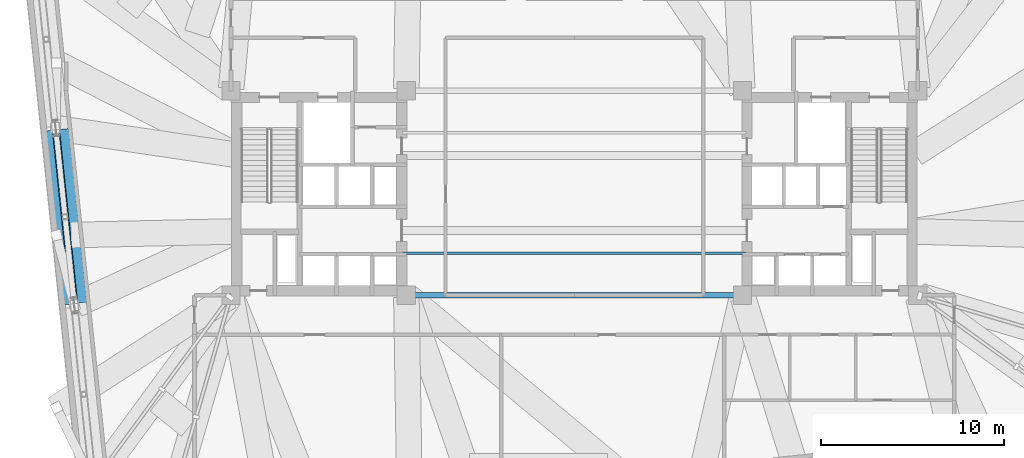
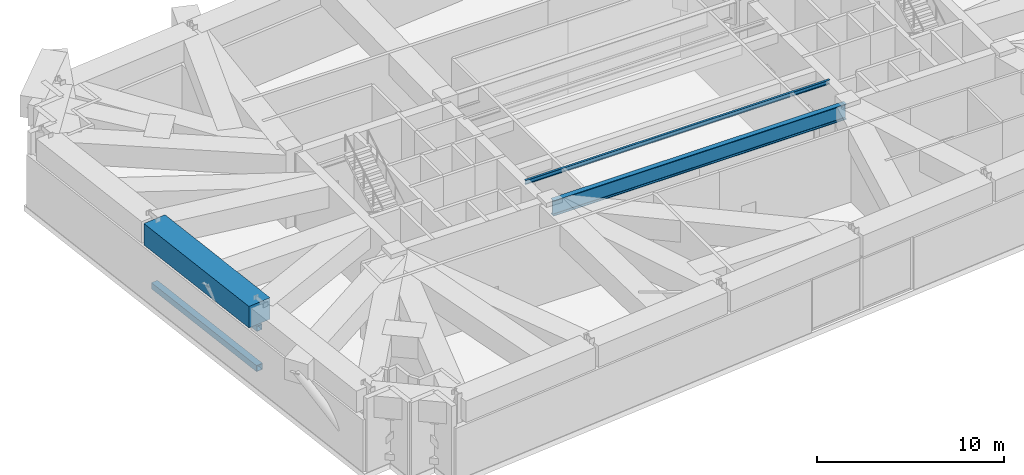
# One storey, part 6 of 23: 3 beams, 2 members.
"""IFC4 building model written with IfcOpenShell, lengths in metres."""

from ifc_helpers import new_model, si_unit, direction, frame, origin, origin_2d, place, context, subcontext, project, spatial, rectangle, hollow_rectangle, i_section, extrude, material, material_profile, profile_set, type_object, element, save


model = new_model("IFC4")

# Units and contexts
model_context = context("Model", 3, precision=1e-05, world=origin(), true_north=direction((0.0, 1.0)))
body_context = subcontext(model_context, "Body", "Model", "MODEL_VIEW")
ifc_project = project(units=[si_unit("LENGTHUNIT", "METRE"), si_unit("AREAUNIT", "SQUARE_METRE"), si_unit("VOLUMEUNIT", "CUBIC_METRE"), si_unit("PLANEANGLEUNIT", "RADIAN"), si_unit("MASSUNIT", "GRAM", prefix="KILO")], contexts=[model_context])

# Site, building, storey
site_placement = place(None, origin())
site = spatial("IfcSite", under=ifc_project, at=site_placement, CompositionType="ELEMENT")
building_placement = place(site_placement, origin())
building = spatial("IfcBuilding", under=site, at=building_placement, Name="Qobustan Lattice House", CompositionType="ELEMENT")
storey_placement = place(building_placement, frame((0.0, 0.0, 125.89990234375)))
storey = spatial("IfcBuildingStorey", under=building, at=storey_placement, Name="L35", CompositionType="ELEMENT", Elevation=125.89990234375)

# Beams
ifc_material_1 = material(Name="Steel S355", Category="steel")
ifc_material_profile_1 = material_profile(ifc_material_1, i_section(OverallWidth=0.135009765625, OverallDepth=0.27001953125, WebThickness=0.006591796875, FlangeThickness=0.01025390625, FilletRadius=0.014892578125, at=origin_2d()), Name="IPE270")
ifc_profile_set_1 = profile_set([ifc_material_profile_1], Name="Steel S355")
beam_type_1 = type_object("IfcBeamType", Name="BM-JST-IPE270", PredefinedType="JOIST", material=ifc_profile_set_1)
beam_1_placement = place(storey_placement, frame((-9.39990234375, -3.300048828125, 4.68505859375), z_axis=(1.0, 0.0, 0.0), x_axis=(0.0, 1.0, 0.0)))
element("IfcBeam", 1, at=beam_1_placement, inside=storey, type_object=beam_type_1, Name="L35 central span floor joist 1", PredefinedType="JOIST", context=body_context, shape_type="SweptSolid", body=[
    extrude(i_section(OverallWidth=0.135009765625, OverallDepth=0.27001953125, WebThickness=0.006591796875, FlangeThickness=0.01025390625, FilletRadius=0.014892578125, at=origin_2d()), origin(), (0.0, 0.0, 1.0), 18.7998046875),
])
ifc_material_2 = material(Name="Steel S355", Category="steel")
ifc_material_profile_2 = material_profile(ifc_material_2, i_section(OverallWidth=0.302001953125, OverallDepth=1.008056640625, WebThickness=0.02099609375, FlangeThickness=0.0400390625, FilletRadius=0.030029296875, at=origin_2d()), Name="HEM1000")
ifc_profile_set_2 = profile_set([ifc_material_profile_2], Name="Steel S355")
beam_type_2 = type_object("IfcBeamType", Name="BM-TRG-HEM1000", PredefinedType="USERDEFINED", material=ifc_profile_set_2)
beam_2_placement = place(storey_placement, frame((-9.050048828125, -5.60009765625, 4.316162109375), z_axis=(1.0, 0.0, 0.0), x_axis=(0.0, 1.0, 0.0)))
element("IfcBeam", 2, at=beam_2_placement, inside=storey, type_object=beam_type_2, Name="L35 core spine girder CG-CS", ObjectType="GIRDER", PredefinedType="USERDEFINED", context=body_context, shape_type="SweptSolid", body=[
    extrude(i_section(OverallWidth=0.302001953125, OverallDepth=1.008056640625, WebThickness=0.02099609375, FlangeThickness=0.0400390625, FilletRadius=0.030029296875, at=origin_2d()), origin(), (0.0, 0.0, 1.0), 18.10009765625),
])
ifc_material_3 = material(Name="Concrete C60/75", Category="concrete")
ifc_material_profile_3 = material_profile(ifc_material_3, rectangle(XDim=1.39990234375, YDim=1.39990234375, at=origin_2d()), Name="RC1400x1400")
ifc_profile_set_3 = profile_set([ifc_material_profile_3], Name="Concrete C60/75")
beam_type_3 = type_object("IfcBeamType", Name="BM-TRG-RC1400", PredefinedType="USERDEFINED", material=ifc_profile_set_3)
beam_3_placement = place(storey_placement, frame((-28.387451171875, 3.457763671875, 4.1201171875), z_axis=(0.10450544185, -0.994524314747, 0.0), x_axis=(0.994524314747, 0.10450544185, 0.0)))
element("IfcBeam", 3, at=beam_3_placement, inside=storey, type_object=beam_type_3, Name="L35 TT2 lower perimeter transfer girder W2-W3", ObjectType="GIRDER", PredefinedType="USERDEFINED", context=body_context, shape_type="SweptSolid", body=[
    extrude(rectangle(XDim=1.39990234375, YDim=1.39990234375, at=origin_2d()), origin(), (0.0, 0.0, 1.0), 9.566650390625),
])

# Members
ifc_material_4 = material(Name="Steel S355", Category="steel")
ifc_material_profile_4 = material_profile(ifc_material_4, hollow_rectangle(XDim=0.35009765625, YDim=0.35009765625, WallThickness=0.01611328125, at=origin_2d()), Name="SHS350x350x16")
ifc_profile_set_4 = profile_set([ifc_material_profile_4], Name="Steel S355")
member_type_1 = type_object("IfcMemberType", Name="MEM-CHD-SHS350", PredefinedType="CHORD", material=ifc_profile_set_4)
member_1_placement = place(storey_placement, frame((-28.387451171875, 3.457763671875, 3.14013671875), z_axis=(0.10450544185, -0.994524314747, 0.0), x_axis=(0.994524314747, 0.10450544185, 0.0)))
element("IfcMember", 4, at=member_1_placement, inside=storey, type_object=member_type_1, Name="L35 TT2 belt truss top chord W2-W3", PredefinedType="CHORD", context=body_context, shape_type="SweptSolid", body=[
    extrude(hollow_rectangle(XDim=0.35009765625, YDim=0.35009765625, WallThickness=0.01611328125, at=origin_2d()), origin(), (0.0, 0.0, 1.0), 9.566650390625),
])
ifc_material_5 = material(Name="Steel S355", Category="steel")
ifc_material_profile_5 = material_profile(ifc_material_5, hollow_rectangle(XDim=0.39990234375, YDim=0.39990234375, WallThickness=0.02001953125, at=origin_2d()), Name="SHS400x400x20")
ifc_profile_set_5 = profile_set([ifc_material_profile_5], Name="Steel S355")
member_type_2 = type_object("IfcMemberType", Name="MEM-CHD-SHS400", PredefinedType="CHORD", material=ifc_profile_set_5)
member_2_placement = place(storey_placement, frame((-28.387451171875, 3.457763671875, 0.550048828125), z_axis=(0.10450544185, -0.994524314747, 0.0), x_axis=(0.994524314747, 0.10450544185, 0.0)))
element("IfcMember", 5, at=member_2_placement, inside=storey, type_object=member_type_2, Name="L35 TT2 belt truss bottom chord W2-W3", PredefinedType="CHORD", context=body_context, shape_type="SweptSolid", body=[
    extrude(hollow_rectangle(XDim=0.39990234375, YDim=0.39990234375, WallThickness=0.02001953125, at=origin_2d()), origin(), (0.0, 0.0, 1.0), 9.566650390625),
])

save(model, "model.ifc")
